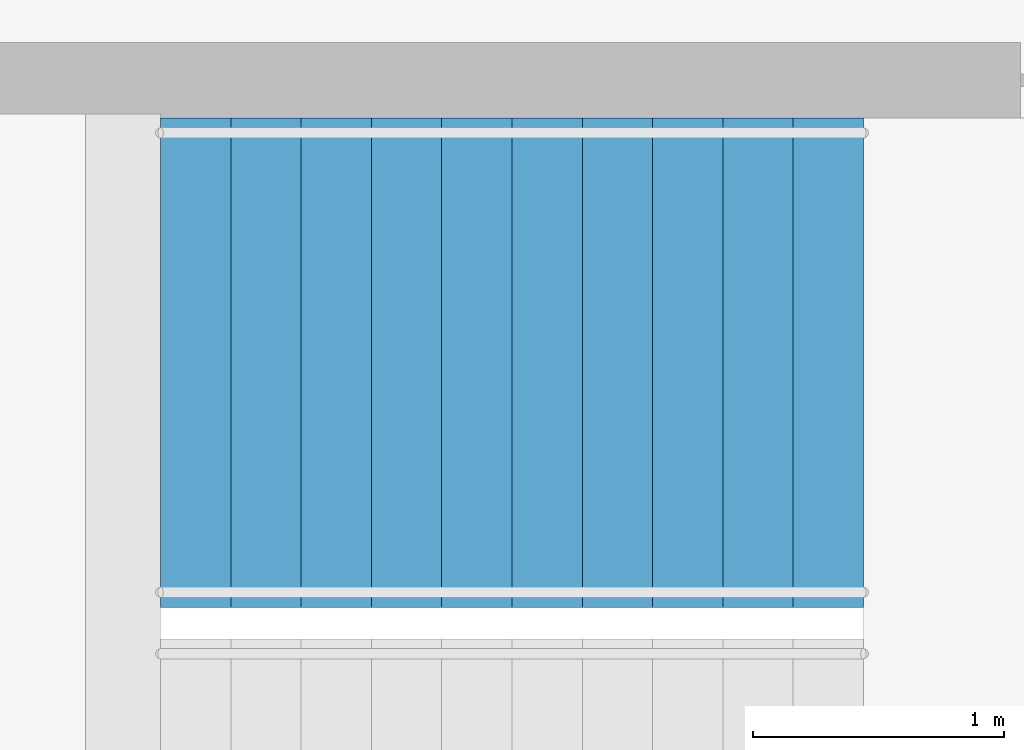
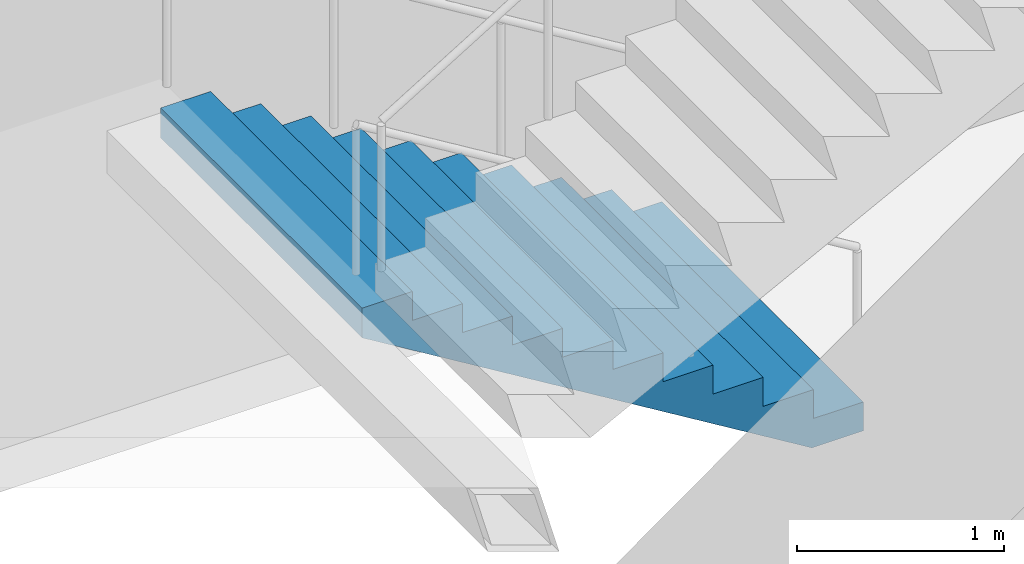
# One storey, part 21 of 22: 1 stair flight, 1 element without a shape of its own.
"""IFC4 building model written with IfcOpenShell, lengths in metres."""

from ifc_helpers import new_model, si_unit, direction, frame, origin, place, context, subcontext, project, spatial, triangles, material, type_object, element, aggregate, save


model = new_model("IFC4")

# Units and contexts
model_context = context("Model", 3, precision=1e-05, world=origin(), true_north=direction((0.0, 1.0)))
body_context = subcontext(model_context, "Body", "Model", "MODEL_VIEW")
ifc_project = project(units=[si_unit("LENGTHUNIT", "METRE"), si_unit("AREAUNIT", "SQUARE_METRE"), si_unit("VOLUMEUNIT", "CUBIC_METRE"), si_unit("PLANEANGLEUNIT", "RADIAN"), si_unit("MASSUNIT", "GRAM", prefix="KILO")], contexts=[model_context])

# Site, building, storey
site_placement = place(None, origin())
site = spatial("IfcSite", under=ifc_project, at=site_placement, CompositionType="ELEMENT")
building_placement = place(site_placement, origin())
building = spatial("IfcBuilding", under=site, at=building_placement, Name="Orbita Commons", CompositionType="ELEMENT")
storey_placement = place(building_placement, frame((0.0, 0.0, 167.35009765625)))
storey = spatial("IfcBuildingStorey", under=building, at=storey_placement, Name="L41", CompositionType="ELEMENT", Elevation=167.35009765625)

# Stair, stair flight
ifc_material_1 = material(Name="Precast concrete C40/50", Category="concrete")
stair_type = type_object("IfcStairType", Name="Exit stair S2 2 flights 11 risers 170", PredefinedType="HALF_TURN_STAIR", material=ifc_material_1)
stair_placement = place(storey_placement, origin())
stair = element("IfcStair", 1, at=stair_placement, inside=storey, type_object=stair_type, Name="Exit stair S2 L41", PredefinedType="HALF_TURN_STAIR")
ifc_material_2 = material(Name="Precast concrete C40/50", Category="concrete")
stair_flight_type = type_object("IfcStairFlightType", Name="Stair flight 11 risers 170 x 280", PredefinedType="STRAIGHT", material=ifc_material_2)
stair_flight_placement = place(storey_placement, frame((63.550048828125, 29.27490234375, 0.0), z_axis=(0.0, 0.0, 1.0), x_axis=(-1.0, 0.0, 0.0)))
stair_flight = element("IfcStairFlight", 2, at=stair_flight_placement, type_object=stair_flight_type, Name="S2 flight 1", NumberOfRisers=11, NumberOfTreads=10, PredefinedType="STRAIGHT", RiserHeight=0.170454545, TreadLength=0.28, context=body_context, shape_type="Tessellation", body=[
    triangles([(0.0, 0.974976, 0.0), (0.0, 0.974976, 0.021307), (0.0, 0.81248, 0.021307), (0.0, 0.81248, 0.0), (0.0, 0.649984, 0.021307), (0.0, 0.649984, 0.0), (0.0, 0.487488, 0.021307), (0.0, 0.487488, 0.0), (0.0, 0.324992, 0.021307), (0.0, 0.324992, 0.0), (0.0, 0.162496, 0.021307), (0.0, 0.162496, 0.0), (0.0, 0.0, 0.021307), (0.0, 0.0, 0.0), (0.0, -0.162496, 0.021307), (0.0, -0.162496, 0.0), (0.0, -0.324992, 0.021307), (0.0, -0.324992, 0.0), (0.0, -0.487488, 0.021307), (0.0, -0.487488, 0.0), (0.0, -0.649984, 0.021307), (0.0, -0.649984, 0.0), (0.0, -0.81248, 0.021307), (0.0, -0.81248, 0.0), (0.0, -0.974976, 0.021307), (0.0, -0.974976, 0.0), (0.0, 0.974976, 0.042614), (0.0, 0.81248, 0.042614), (0.0, 0.649984, 0.042614), (0.0, 0.487488, 0.042614), (0.0, 0.324992, 0.042614), (0.0, 0.162496, 0.042614), (0.0, 0.0, 0.042614), (0.0, -0.162496, 0.042614), (0.0, -0.324992, 0.042614), (0.0, -0.487488, 0.042614), (0.0, -0.649984, 0.042614), (0.0, -0.81248, 0.042614), (0.0, -0.974976, 0.042614), (0.0, 0.974976, 0.06392), (0.0, 0.81248, 0.06392), (0.0, 0.649984, 0.06392), (0.0, 0.487488, 0.06392), (0.0, 0.324992, 0.06392), (0.0, 0.162496, 0.06392), (0.0, 0.0, 0.06392), (0.0, -0.162496, 0.06392), (0.0, -0.324992, 0.06392), (0.0, -0.487488, 0.06392), (0.0, -0.649984, 0.06392), (0.0, -0.81248, 0.06392), (0.0, -0.974976, 0.06392), (0.0, 0.974976, 0.085227), (0.0, 0.81248, 0.085227), (0.0, 0.649984, 0.085227), (0.0, 0.487488, 0.085227), (0.0, 0.324992, 0.085227), (0.0, 0.162496, 0.085227), (0.0, 0.0, 0.085227), (0.0, -0.162496, 0.085227), (0.0, -0.324992, 0.085227), (0.0, -0.487488, 0.085227), (0.0, -0.649984, 0.085227), (0.0, -0.81248, 0.085227), (0.0, -0.974976, 0.085227), (0.0, 0.974976, 0.106534), (0.0, 0.81248, 0.106534), (0.0, 0.649984, 0.106534), (0.0, 0.487488, 0.106534), (0.0, 0.324992, 0.106534), (0.0, 0.162496, 0.106534), (0.0, 0.0, 0.106534), (0.0, -0.162496, 0.106534), (0.0, -0.324992, 0.106534), (0.0, -0.487488, 0.106534), (0.0, -0.649984, 0.106534), (0.0, -0.81248, 0.106534), (0.0, -0.974976, 0.106534), (0.0, 0.974976, 0.127841), (0.0, 0.81248, 0.127841), (0.0, 0.649984, 0.127841), (0.0, 0.487488, 0.127841), (0.0, 0.324992, 0.127841), (0.0, 0.162496, 0.127841), (0.0, 0.0, 0.127841), (0.0, -0.162496, 0.127841), (0.0, -0.324992, 0.127841), (0.0, -0.487488, 0.127841), (0.0, -0.649984, 0.127841), (0.0, -0.81248, 0.127841), (0.0, -0.974976, 0.127841), (0.0, 0.974976, 0.149148), (0.0, 0.81248, 0.149148), (0.0, 0.649984, 0.149148), (0.0, 0.487488, 0.149148), (0.0, 0.324992, 0.149148), (0.0, 0.162496, 0.149148), (0.0, 0.0, 0.149148), (0.0, -0.162496, 0.149148), (0.0, -0.324992, 0.149148), (0.0, -0.487488, 0.149148), (0.0, -0.649984, 0.149148), (0.0, -0.81248, 0.149148), (0.0, -0.974976, 0.149148), (0.0, 0.974976, 0.170455), (0.0, 0.81248, 0.170455), (0.0, 0.649984, 0.170455), (0.0, 0.487488, 0.170455), (0.0, 0.324992, 0.170455), (0.0, 0.162496, 0.170455), (0.0, 0.0, 0.170455), (0.0, -0.162496, 0.170455), (0.0, -0.324992, 0.170455), (0.0, -0.487488, 0.170455), (0.0, -0.649984, 0.170455), (0.0, -0.81248, 0.170455), (0.0, -0.974976, 0.170455), (0.28, 0.974976, 0.170455), (0.28, 0.81248, 0.170455), (0.28, 0.649984, 0.170455), (0.28, 0.487488, 0.170455), (0.28, 0.324992, 0.170455), (0.28, 0.162496, 0.170455), (0.28, 0.0, 0.170455), (0.28, -0.162496, 0.170455), (0.28, -0.324992, 0.170455), (0.28, -0.487488, 0.170455), (0.28, -0.649984, 0.170455), (0.28, -0.81248, 0.170455), (0.28, -0.974976, 0.170455), (0.28, 0.974976, 0.340909), (0.28, 0.81248, 0.340909), (0.28, 0.649984, 0.340909), (0.28, 0.487488, 0.340909), (0.28, 0.324992, 0.340909), (0.28, 0.162496, 0.340909), (0.28, 0.0, 0.340909), (0.28, -0.162496, 0.340909), (0.28, -0.324992, 0.340909), (0.28, -0.487488, 0.340909), (0.28, -0.649984, 0.340909), (0.28, -0.81248, 0.340909), (0.28, -0.974976, 0.340909), (0.56, 0.974976, 0.340909), (0.56, 0.81248, 0.340909), (0.56, 0.649984, 0.340909), (0.56, 0.487488, 0.340909), (0.56, 0.324992, 0.340909), (0.56, 0.162496, 0.340909), (0.56, 0.0, 0.340909), (0.56, -0.162496, 0.340909), (0.56, -0.324992, 0.340909), (0.56, -0.487488, 0.340909), (0.56, -0.649984, 0.340909), (0.56, -0.81248, 0.340909), (0.56, -0.974976, 0.340909), (0.56, 0.974976, 0.511364), (0.56, 0.81248, 0.511364), (0.56, 0.649984, 0.511364), (0.56, 0.487488, 0.511364), (0.56, 0.324992, 0.511364), (0.56, 0.162496, 0.511364), (0.56, 0.0, 0.511364), (0.56, -0.162496, 0.511364), (0.56, -0.324992, 0.511364), (0.56, -0.487488, 0.511364), (0.56, -0.649984, 0.511364), (0.56, -0.81248, 0.511364), (0.56, -0.974976, 0.511364), (0.84, 0.974976, 0.511364), (0.84, 0.81248, 0.511364), (0.84, 0.649984, 0.511364), (0.84, 0.487488, 0.511364), (0.84, 0.324992, 0.511364), (0.84, 0.162496, 0.511364), (0.84, 0.0, 0.511364), (0.84, -0.162496, 0.511364), (0.84, -0.324992, 0.511364), (0.84, -0.487488, 0.511364), (0.84, -0.649984, 0.511364), (0.84, -0.81248, 0.511364), (0.84, -0.974976, 0.511364), (0.84, 0.974976, 0.681818), (0.84, 0.81248, 0.681818), (0.84, 0.649984, 0.681818), (0.84, 0.487488, 0.681818), (0.84, 0.324992, 0.681818), (0.84, 0.162496, 0.681818), (0.84, 0.0, 0.681818), (0.84, -0.162496, 0.681818), (0.84, -0.324992, 0.681818), (0.84, -0.487488, 0.681818), (0.84, -0.649984, 0.681818), (0.84, -0.81248, 0.681818), (0.84, -0.974976, 0.681818), (1.12, 0.974976, 0.681818), (1.12, 0.81248, 0.681818), (1.12, 0.649984, 0.681818), (1.12, 0.487488, 0.681818), (1.12, 0.324992, 0.681818), (1.12, 0.162496, 0.681818), (1.12, 0.0, 0.681818), (1.12, -0.162496, 0.681818), (1.12, -0.324992, 0.681818), (1.12, -0.487488, 0.681818), (1.12, -0.649984, 0.681818), (1.12, -0.81248, 0.681818), (1.12, -0.974976, 0.681818), (1.12, 0.974976, 0.852273), (1.12, 0.81248, 0.852273), (1.12, 0.649984, 0.852273), (1.12, 0.487488, 0.852273), (1.12, 0.324992, 0.852273), (1.12, 0.162496, 0.852273), (1.12, 0.0, 0.852273), (1.12, -0.162496, 0.852273), (1.12, -0.324992, 0.852273), (1.12, -0.487488, 0.852273), (1.12, -0.649984, 0.852273), (1.12, -0.81248, 0.852273), (1.12, -0.974976, 0.852273), (1.4, 0.974976, 0.852273), (1.4, 0.81248, 0.852273), (1.4, 0.649984, 0.852273), (1.4, 0.487488, 0.852273), (1.4, 0.324992, 0.852273), (1.4, 0.162496, 0.852273), (1.4, 0.0, 0.852273), (1.4, -0.162496, 0.852273), (1.4, -0.324992, 0.852273), (1.4, -0.487488, 0.852273), (1.4, -0.649984, 0.852273), (1.4, -0.81248, 0.852273), (1.4, -0.974976, 0.852273), (1.4, 0.974976, 1.022727), (1.4, 0.81248, 1.022727), (1.4, 0.649984, 1.022727), (1.4, 0.487488, 1.022727), (1.4, 0.324992, 1.022727), (1.4, 0.162496, 1.022727), (1.4, 0.0, 1.022727), (1.4, -0.162496, 1.022727), (1.4, -0.324992, 1.022727), (1.4, -0.487488, 1.022727), (1.4, -0.649984, 1.022727), (1.4, -0.81248, 1.022727), (1.4, -0.974976, 1.022727), (1.68, 0.974976, 1.022727), (1.68, 0.81248, 1.022727), (1.68, 0.649984, 1.022727), (1.68, 0.487488, 1.022727), (1.68, 0.324992, 1.022727), (1.68, 0.162496, 1.022727), (1.68, 0.0, 1.022727), (1.68, -0.162496, 1.022727), (1.68, -0.324992, 1.022727), (1.68, -0.487488, 1.022727), (1.68, -0.649984, 1.022727), (1.68, -0.81248, 1.022727), (1.68, -0.974976, 1.022727), (1.68, 0.974976, 1.193182), (1.68, 0.81248, 1.193182), (1.68, 0.649984, 1.193182), (1.68, 0.487488, 1.193182), (1.68, 0.324992, 1.193182), (1.68, 0.162496, 1.193182), (1.68, 0.0, 1.193182), (1.68, -0.162496, 1.193182), (1.68, -0.324992, 1.193182), (1.68, -0.487488, 1.193182), (1.68, -0.649984, 1.193182), (1.68, -0.81248, 1.193182), (1.68, -0.974976, 1.193182), (1.96, 0.974976, 1.193182), (1.96, 0.81248, 1.193182), (1.96, 0.649984, 1.193182), (1.96, 0.487488, 1.193182), (1.96, 0.324992, 1.193182), (1.96, 0.162496, 1.193182), (1.96, 0.0, 1.193182), (1.96, -0.162496, 1.193182), (1.96, -0.324992, 1.193182), (1.96, -0.487488, 1.193182), (1.96, -0.649984, 1.193182), (1.96, -0.81248, 1.193182), (1.96, -0.974976, 1.193182), (1.96, 0.974976, 1.363636), (1.96, 0.81248, 1.363636), (1.96, 0.649984, 1.363636), (1.96, 0.487488, 1.363636), (1.96, 0.324992, 1.363636), (1.96, 0.162496, 1.363636), (1.96, 0.0, 1.363636), (1.96, -0.162496, 1.363636), (1.96, -0.324992, 1.363636), (1.96, -0.487488, 1.363636), (1.96, -0.649984, 1.363636), (1.96, -0.81248, 1.363636), (1.96, -0.974976, 1.363636), (2.24, 0.974976, 1.363636), (2.24, 0.81248, 1.363636), (2.24, 0.649984, 1.363636), (2.24, 0.487488, 1.363636), (2.24, 0.324992, 1.363636), (2.24, 0.162496, 1.363636), (2.24, 0.0, 1.363636), (2.24, -0.162496, 1.363636), (2.24, -0.324992, 1.363636), (2.24, -0.487488, 1.363636), (2.24, -0.649984, 1.363636), (2.24, -0.81248, 1.363636), (2.24, -0.974976, 1.363636), (2.24, 0.974976, 1.534091), (2.24, 0.81248, 1.534091), (2.24, 0.649984, 1.534091), (2.24, 0.487488, 1.534091), (2.24, 0.324992, 1.534091), (2.24, 0.162496, 1.534091), (2.24, 0.0, 1.534091), (2.24, -0.162496, 1.534091), (2.24, -0.324992, 1.534091), (2.24, -0.487488, 1.534091), (2.24, -0.649984, 1.534091), (2.24, -0.81248, 1.534091), (2.24, -0.974976, 1.534091), (2.52, 0.974976, 1.534091), (2.52, 0.81248, 1.534091), (2.52, 0.649984, 1.534091), (2.52, 0.487488, 1.534091), (2.52, 0.324992, 1.534091), (2.52, 0.162496, 1.534091), (2.52, 0.0, 1.534091), (2.52, -0.162496, 1.534091), (2.52, -0.324992, 1.534091), (2.52, -0.487488, 1.534091), (2.52, -0.649984, 1.534091), (2.52, -0.81248, 1.534091), (2.52, -0.974976, 1.534091), (2.52, 0.974976, 1.704545), (2.52, 0.81248, 1.704545), (2.52, 0.649984, 1.704545), (2.52, 0.487488, 1.704545), (2.52, 0.324992, 1.704545), (2.52, 0.162496, 1.704545), (2.52, 0.0, 1.704545), (2.52, -0.162496, 1.704545), (2.52, -0.324992, 1.704545), (2.52, -0.487488, 1.704545), (2.52, -0.649984, 1.704545), (2.52, -0.81248, 1.704545), (2.52, -0.974976, 1.704545), (2.8, 0.974976, 1.704545), (2.8, 0.81248, 1.704545), (2.8, 0.649984, 1.704545), (2.8, 0.487488, 1.704545), (2.8, 0.324992, 1.704545), (2.8, 0.162496, 1.704545), (2.8, 0.0, 1.704545), (2.8, -0.162496, 1.704545), (2.8, -0.324992, 1.704545), (2.8, -0.487488, 1.704545), (2.8, -0.649984, 1.704545), (2.8, -0.81248, 1.704545), (2.8, -0.974976, 1.704545), (2.8, 0.974976, 1.682609), (2.8, 0.81248, 1.682609), (2.8, 0.649984, 1.682609), (2.8, 0.487488, 1.682609), (2.8, 0.324992, 1.682609), (2.8, 0.162496, 1.682609), (2.8, 0.0, 1.682609), (2.8, -0.162496, 1.682609), (2.8, -0.324992, 1.682609), (2.8, -0.487488, 1.682609), (2.8, -0.649984, 1.682609), (2.8, -0.81248, 1.682609), (2.8, -0.974976, 1.682609), (2.8, 0.974976, 1.660672), (2.8, 0.81248, 1.660672), (2.8, 0.649984, 1.660672), (2.8, 0.487488, 1.660672), (2.8, 0.324992, 1.660672), (2.8, 0.162496, 1.660672), (2.8, 0.0, 1.660672), (2.8, -0.162496, 1.660672), (2.8, -0.324992, 1.660672), (2.8, -0.487488, 1.660672), (2.8, -0.649984, 1.660672), (2.8, -0.81248, 1.660672), (2.8, -0.974976, 1.660672), (2.8, 0.974976, 1.638735), (2.8, 0.81248, 1.638735), (2.8, 0.649984, 1.638735), (2.8, 0.487488, 1.638735), (2.8, 0.324992, 1.638735), (2.8, 0.162496, 1.638735), (2.8, 0.0, 1.638735), (2.8, -0.162496, 1.638735), (2.8, -0.324992, 1.638735), (2.8, -0.487488, 1.638735), (2.8, -0.649984, 1.638735), (2.8, -0.81248, 1.638735), (2.8, -0.974976, 1.638735), (2.8, 0.974976, 1.616798), (2.8, 0.81248, 1.616798), (2.8, 0.649984, 1.616798), (2.8, 0.487488, 1.616798), (2.8, 0.324992, 1.616798), (2.8, 0.162496, 1.616798), (2.8, 0.0, 1.616798), (2.8, -0.162496, 1.616798), (2.8, -0.324992, 1.616798), (2.8, -0.487488, 1.616798), (2.8, -0.649984, 1.616798), (2.8, -0.81248, 1.616798), (2.8, -0.974976, 1.616798), (2.8, 0.974976, 1.594861), (2.8, 0.81248, 1.594861), (2.8, 0.649984, 1.594861), (2.8, 0.487488, 1.594861), (2.8, 0.324992, 1.594861), (2.8, 0.162496, 1.594861), (2.8, 0.0, 1.594861), (2.8, -0.162496, 1.594861), (2.8, -0.324992, 1.594861), (2.8, -0.487488, 1.594861), (2.8, -0.649984, 1.594861), (2.8, -0.81248, 1.594861), (2.8, -0.974976, 1.594861), (2.8, 0.974976, 1.572925), (2.8, 0.81248, 1.572925), (2.8, 0.649984, 1.572925), (2.8, 0.487488, 1.572925), (2.8, 0.324992, 1.572925), (2.8, 0.162496, 1.572925), (2.8, 0.0, 1.572925), (2.8, -0.162496, 1.572925), (2.8, -0.324992, 1.572925), (2.8, -0.487488, 1.572925), (2.8, -0.649984, 1.572925), (2.8, -0.81248, 1.572925), (2.8, -0.974976, 1.572925), (2.8, 0.974976, 1.550988), (2.8, 0.81248, 1.550988), (2.8, 0.649984, 1.550988), (2.8, 0.487488, 1.550988), (2.8, 0.324992, 1.550988), (2.8, 0.162496, 1.550988), (2.8, 0.0, 1.550988), (2.8, -0.162496, 1.550988), (2.8, -0.324992, 1.550988), (2.8, -0.487488, 1.550988), (2.8, -0.649984, 1.550988), (2.8, -0.81248, 1.550988), (2.8, -0.974976, 1.550988), (2.8, 0.974976, 1.529051), (2.8, 0.81248, 1.529051), (2.8, 0.649984, 1.529051), (2.8, 0.487488, 1.529051), (2.8, 0.324992, 1.529051), (2.8, 0.162496, 1.529051), (2.8, 0.0, 1.529051), (2.8, -0.162496, 1.529051), (2.8, -0.324992, 1.529051), (2.8, -0.487488, 1.529051), (2.8, -0.649984, 1.529051), (2.8, -0.81248, 1.529051), (2.8, -0.974976, 1.529051), (0.288279, 0.974976, 0.0), (0.288279, 0.81248, 0.0), (0.288279, 0.649984, 0.0), (0.288279, 0.487488, 0.0), (0.288279, 0.324992, 0.0), (0.288279, 0.162496, 0.0), (0.288279, 0.0, 0.0), (0.288279, -0.162496, 0.0), (0.288279, -0.324992, 0.0), (0.288279, -0.487488, 0.0), (0.288279, -0.649984, 0.0), (0.288279, -0.81248, 0.0), (0.288279, -0.974976, 0.0)], [[3, 2, 1], [4, 3, 1], [5, 3, 4], [6, 5, 4], [7, 5, 6], [8, 7, 6], [9, 7, 8], [10, 9, 8], [11, 9, 10], [12, 11, 10], [13, 11, 12], [14, 13, 12], [15, 13, 14], [16, 15, 14], [17, 15, 16], [18, 17, 16], [19, 17, 18], [20, 19, 18], [21, 19, 20], [22, 21, 20], [23, 21, 22], [24, 23, 22], [25, 23, 24], [26, 25, 24], [28, 27, 2], [3, 28, 2], [29, 28, 3], [5, 29, 3], [30, 29, 5], [7, 30, 5], [31, 30, 7], [9, 31, 7], [32, 31, 9], [11, 32, 9], [33, 32, 11], [13, 33, 11], [34, 33, 13], [15, 34, 13], [35, 34, 15], [17, 35, 15], [36, 35, 17], [19, 36, 17], [37, 36, 19], [21, 37, 19], [38, 37, 21], [23, 38, 21], [39, 38, 23], [25, 39, 23], [41, 40, 27], [28, 41, 27], [42, 41, 28], [29, 42, 28], [43, 42, 29], [30, 43, 29], [44, 43, 30], [31, 44, 30], [45, 44, 31], [32, 45, 31], [46, 45, 32], [33, 46, 32], [47, 46, 33], [34, 47, 33], [48, 47, 34], [35, 48, 34], [49, 48, 35], [36, 49, 35], [50, 49, 36], [37, 50, 36], [51, 50, 37], [38, 51, 37], [52, 51, 38], [39, 52, 38], [54, 53, 40], [41, 54, 40], [55, 54, 41], [42, 55, 41], [56, 55, 42], [43, 56, 42], [57, 56, 43], [44, 57, 43], [58, 57, 44], [45, 58, 44], [59, 58, 45], [46, 59, 45], [60, 59, 46], [47, 60, 46], [61, 60, 47], [48, 61, 47], [62, 61, 48], [49, 62, 48], [63, 62, 49], [50, 63, 49], [64, 63, 50], [51, 64, 50], [65, 64, 51], [52, 65, 51], [67, 66, 53], [54, 67, 53], [68, 67, 54], [55, 68, 54], [69, 68, 55], [56, 69, 55], [70, 69, 56], [57, 70, 56], [71, 70, 57], [58, 71, 57], [72, 71, 58], [59, 72, 58], [73, 72, 59], [60, 73, 59], [74, 73, 60], [61, 74, 60], [75, 74, 61], [62, 75, 61], [76, 75, 62], [63, 76, 62], [77, 76, 63], [64, 77, 63], [78, 77, 64], [65, 78, 64], [80, 79, 66], [67, 80, 66], [81, 80, 67], [68, 81, 67], [82, 81, 68], [69, 82, 68], [83, 82, 69], [70, 83, 69], [84, 83, 70], [71, 84, 70], [85, 84, 71], [72, 85, 71], [86, 85, 72], [73, 86, 72], [87, 86, 73], [74, 87, 73], [88, 87, 74], [75, 88, 74], [89, 88, 75], [76, 89, 75], [90, 89, 76], [77, 90, 76], [91, 90, 77], [78, 91, 77], [93, 92, 79], [80, 93, 79], [94, 93, 80], [81, 94, 80], [95, 94, 81], [82, 95, 81], [96, 95, 82], [83, 96, 82], [97, 96, 83], [84, 97, 83], [98, 97, 84], [85, 98, 84], [99, 98, 85], [86, 99, 85], [100, 99, 86], [87, 100, 86], [101, 100, 87], [88, 101, 87], [102, 101, 88], [89, 102, 88], [103, 102, 89], [90, 103, 89], [104, 103, 90], [91, 104, 90], [106, 105, 92], [93, 106, 92], [107, 106, 93], [94, 107, 93], [108, 107, 94], [95, 108, 94], [109, 108, 95], [96, 109, 95], [110, 109, 96], [97, 110, 96], [111, 110, 97], [98, 111, 97], [112, 111, 98], [99, 112, 98], [113, 112, 99], [100, 113, 99], [114, 113, 100], [101, 114, 100], [115, 114, 101], [102, 115, 101], [116, 115, 102], [103, 116, 102], [117, 116, 103], [104, 117, 103], [119, 118, 105], [106, 119, 105], [120, 119, 106], [107, 120, 106], [121, 120, 107], [108, 121, 107], [122, 121, 108], [109, 122, 108], [123, 122, 109], [110, 123, 109], [124, 123, 110], [111, 124, 110], [125, 124, 111], [112, 125, 111], [126, 125, 112], [113, 126, 112], [127, 126, 113], [114, 127, 113], [128, 127, 114], [115, 128, 114], [129, 128, 115], [116, 129, 115], [130, 129, 116], [117, 130, 116], [132, 131, 118], [119, 132, 118], [133, 132, 119], [120, 133, 119], [134, 133, 120], [121, 134, 120], [135, 134, 121], [122, 135, 121], [136, 135, 122], [123, 136, 122], [137, 136, 123], [124, 137, 123], [138, 137, 124], [125, 138, 124], [139, 138, 125], [126, 139, 125], [140, 139, 126], [127, 140, 126], [141, 140, 127], [128, 141, 127], [142, 141, 128], [129, 142, 128], [143, 142, 129], [130, 143, 129], [145, 144, 131], [132, 145, 131], [146, 145, 132], [133, 146, 132], [147, 146, 133], [134, 147, 133], [148, 147, 134], [135, 148, 134], [149, 148, 135], [136, 149, 135], [150, 149, 136], [137, 150, 136], [151, 150, 137], [138, 151, 137], [152, 151, 138], [139, 152, 138], [153, 152, 139], [140, 153, 139], [154, 153, 140], [141, 154, 140], [155, 154, 141], [142, 155, 141], [156, 155, 142], [143, 156, 142], [158, 157, 144], [145, 158, 144], [159, 158, 145], [146, 159, 145], [160, 159, 146], [147, 160, 146], [161, 160, 147], [148, 161, 147], [162, 161, 148], [149, 162, 148], [163, 162, 149], [150, 163, 149], [164, 163, 150], [151, 164, 150], [165, 164, 151], [152, 165, 151], [166, 165, 152], [153, 166, 152], [167, 166, 153], [154, 167, 153], [168, 167, 154], [155, 168, 154], [169, 168, 155], [156, 169, 155], [171, 170, 157], [158, 171, 157], [172, 171, 158], [159, 172, 158], [173, 172, 159], [160, 173, 159], [174, 173, 160], [161, 174, 160], [175, 174, 161], [162, 175, 161], [176, 175, 162], [163, 176, 162], [177, 176, 163], [164, 177, 163], [178, 177, 164], [165, 178, 164], [179, 178, 165], [166, 179, 165], [180, 179, 166], [167, 180, 166], [181, 180, 167], [168, 181, 167], [182, 181, 168], [169, 182, 168], [184, 183, 170], [171, 184, 170], [185, 184, 171], [172, 185, 171], [186, 185, 172], [173, 186, 172], [187, 186, 173], [174, 187, 173], [188, 187, 174], [175, 188, 174], [189, 188, 175], [176, 189, 175], [190, 189, 176], [177, 190, 176], [191, 190, 177], [178, 191, 177], [192, 191, 178], [179, 192, 178], [193, 192, 179], [180, 193, 179], [194, 193, 180], [181, 194, 180], [195, 194, 181], [182, 195, 181], [197, 196, 183], [184, 197, 183], [198, 197, 184], [185, 198, 184], [199, 198, 185], [186, 199, 185], [200, 199, 186], [187, 200, 186], [201, 200, 187], [188, 201, 187], [202, 201, 188], [189, 202, 188], [203, 202, 189], [190, 203, 189], [204, 203, 190], [191, 204, 190], [205, 204, 191], [192, 205, 191], [206, 205, 192], [193, 206, 192], [207, 206, 193], [194, 207, 193], [208, 207, 194], [195, 208, 194], [210, 209, 196], [197, 210, 196], [211, 210, 197], [198, 211, 197], [212, 211, 198], [199, 212, 198], [213, 212, 199], [200, 213, 199], [214, 213, 200], [201, 214, 200], [215, 214, 201], [202, 215, 201], [216, 215, 202], [203, 216, 202], [217, 216, 203], [204, 217, 203], [218, 217, 204], [205, 218, 204], [219, 218, 205], [206, 219, 205], [220, 219, 206], [207, 220, 206], [221, 220, 207], [208, 221, 207], [223, 222, 209], [210, 223, 209], [224, 223, 210], [211, 224, 210], [225, 224, 211], [212, 225, 211], [226, 225, 212], [213, 226, 212], [227, 226, 213], [214, 227, 213], [228, 227, 214], [215, 228, 214], [229, 228, 215], [216, 229, 215], [230, 229, 216], [217, 230, 216], [231, 230, 217], [218, 231, 217], [232, 231, 218], [219, 232, 218], [233, 232, 219], [220, 233, 219], [234, 233, 220], [221, 234, 220], [236, 235, 222], [223, 236, 222], [237, 236, 223], [224, 237, 223], [238, 237, 224], [225, 238, 224], [239, 238, 225], [226, 239, 225], [240, 239, 226], [227, 240, 226], [241, 240, 227], [228, 241, 227], [242, 241, 228], [229, 242, 228], [243, 242, 229], [230, 243, 229], [244, 243, 230], [231, 244, 230], [245, 244, 231], [232, 245, 231], [246, 245, 232], [233, 246, 232], [247, 246, 233], [234, 247, 233], [249, 248, 235], [236, 249, 235], [250, 249, 236], [237, 250, 236], [251, 250, 237], [238, 251, 237], [252, 251, 238], [239, 252, 238], [253, 252, 239], [240, 253, 239], [254, 253, 240], [241, 254, 240], [255, 254, 241], [242, 255, 241], [256, 255, 242], [243, 256, 242], [257, 256, 243], [244, 257, 243], [258, 257, 244], [245, 258, 244], [259, 258, 245], [246, 259, 245], [260, 259, 246], [247, 260, 246], [262, 261, 248], [249, 262, 248], [263, 262, 249], [250, 263, 249], [264, 263, 250], [251, 264, 250], [265, 264, 251], [252, 265, 251], [266, 265, 252], [253, 266, 252], [267, 266, 253], [254, 267, 253], [268, 267, 254], [255, 268, 254], [269, 268, 255], [256, 269, 255], [270, 269, 256], [257, 270, 256], [271, 270, 257], [258, 271, 257], [272, 271, 258], [259, 272, 258], [273, 272, 259], [260, 273, 259], [275, 274, 261], [262, 275, 261], [276, 275, 262], [263, 276, 262], [277, 276, 263], [264, 277, 263], [278, 277, 264], [265, 278, 264], [279, 278, 265], [266, 279, 265], [280, 279, 266], [267, 280, 266], [281, 280, 267], [268, 281, 267], [282, 281, 268], [269, 282, 268], [283, 282, 269], [270, 283, 269], [284, 283, 270], [271, 284, 270], [285, 284, 271], [272, 285, 271], [286, 285, 272], [273, 286, 272], [288, 287, 274], [275, 288, 274], [289, 288, 275], [276, 289, 275], [290, 289, 276], [277, 290, 276], [291, 290, 277], [278, 291, 277], [292, 291, 278], [279, 292, 278], [293, 292, 279], [280, 293, 279], [294, 293, 280], [281, 294, 280], [295, 294, 281], [282, 295, 281], [296, 295, 282], [283, 296, 282], [297, 296, 283], [284, 297, 283], [298, 297, 284], [285, 298, 284], [299, 298, 285], [286, 299, 285], [301, 300, 287], [288, 301, 287], [302, 301, 288], [289, 302, 288], [303, 302, 289], [290, 303, 289], [304, 303, 290], [291, 304, 290], [305, 304, 291], [292, 305, 291], [306, 305, 292], [293, 306, 292], [307, 306, 293], [294, 307, 293], [308, 307, 294], [295, 308, 294], [309, 308, 295], [296, 309, 295], [310, 309, 296], [297, 310, 296], [311, 310, 297], [298, 311, 297], [312, 311, 298], [299, 312, 298], [314, 313, 300], [301, 314, 300], [315, 314, 301], [302, 315, 301], [316, 315, 302], [303, 316, 302], [317, 316, 303], [304, 317, 303], [318, 317, 304], [305, 318, 304], [319, 318, 305], [306, 319, 305], [320, 319, 306], [307, 320, 306], [321, 320, 307], [308, 321, 307], [322, 321, 308], [309, 322, 308], [323, 322, 309], [310, 323, 309], [324, 323, 310], [311, 324, 310], [325, 324, 311], [312, 325, 311], [327, 326, 313], [314, 327, 313], [328, 327, 314], [315, 328, 314], [329, 328, 315], [316, 329, 315], [330, 329, 316], [317, 330, 316], [331, 330, 317], [318, 331, 317], [332, 331, 318], [319, 332, 318], [333, 332, 319], [320, 333, 319], [334, 333, 320], [321, 334, 320], [335, 334, 321], [322, 335, 321], [336, 335, 322], [323, 336, 322], [337, 336, 323], [324, 337, 323], [338, 337, 324], [325, 338, 324], [340, 339, 326], [327, 340, 326], [341, 340, 327], [328, 341, 327], [342, 341, 328], [329, 342, 328], [343, 342, 329], [330, 343, 329], [344, 343, 330], [331, 344, 330], [345, 344, 331], [332, 345, 331], [346, 345, 332], [333, 346, 332], [347, 346, 333], [334, 347, 333], [348, 347, 334], [335, 348, 334], [349, 348, 335], [336, 349, 335], [350, 349, 336], [337, 350, 336], [351, 350, 337], [338, 351, 337], [353, 352, 339], [340, 353, 339], [354, 353, 340], [341, 354, 340], [355, 354, 341], [342, 355, 341], [356, 355, 342], [343, 356, 342], [357, 356, 343], [344, 357, 343], [358, 357, 344], [345, 358, 344], [359, 358, 345], [346, 359, 345], [360, 359, 346], [347, 360, 346], [361, 360, 347], [348, 361, 347], [362, 361, 348], [349, 362, 348], [363, 362, 349], [350, 363, 349], [364, 363, 350], [351, 364, 350], [366, 365, 352], [353, 366, 352], [367, 366, 353], [354, 367, 353], [368, 367, 354], [355, 368, 354], [369, 368, 355], [356, 369, 355], [370, 369, 356], [357, 370, 356], [371, 370, 357], [358, 371, 357], [372, 371, 358], [359, 372, 358], [373, 372, 359], [360, 373, 359], [374, 373, 360], [361, 374, 360], [375, 374, 361], [362, 375, 361], [376, 375, 362], [363, 376, 362], [377, 376, 363], [364, 377, 363], [379, 378, 365], [366, 379, 365], [380, 379, 366], [367, 380, 366], [381, 380, 367], [368, 381, 367], [382, 381, 368], [369, 382, 368], [383, 382, 369], [370, 383, 369], [384, 383, 370], [371, 384, 370], [385, 384, 371], [372, 385, 371], [386, 385, 372], [373, 386, 372], [387, 386, 373], [374, 387, 373], [388, 387, 374], [375, 388, 374], [389, 388, 375], [376, 389, 375], [390, 389, 376], [377, 390, 376], [392, 391, 378], [379, 392, 378], [393, 392, 379], [380, 393, 379], [394, 393, 380], [381, 394, 380], [395, 394, 381], [382, 395, 381], [396, 395, 382], [383, 396, 382], [397, 396, 383], [384, 397, 383], [398, 397, 384], [385, 398, 384], [399, 398, 385], [386, 399, 385], [400, 399, 386], [387, 400, 386], [401, 400, 387], [388, 401, 387], [402, 401, 388], [389, 402, 388], [403, 402, 389], [390, 403, 389], [405, 404, 391], [392, 405, 391], [406, 405, 392], [393, 406, 392], [407, 406, 393], [394, 407, 393], [408, 407, 394], [395, 408, 394], [409, 408, 395], [396, 409, 395], [410, 409, 396], [397, 410, 396], [411, 410, 397], [398, 411, 397], [412, 411, 398], [399, 412, 398], [413, 412, 399], [400, 413, 399], [414, 413, 400], [401, 414, 400], [415, 414, 401], [402, 415, 401], [416, 415, 402], [403, 416, 402], [418, 417, 404], [405, 418, 404], [419, 418, 405], [406, 419, 405], [420, 419, 406], [407, 420, 406], [421, 420, 407], [408, 421, 407], [422, 421, 408], [409, 422, 408], [423, 422, 409], [410, 423, 409], [424, 423, 410], [411, 424, 410], [425, 424, 411], [412, 425, 411], [426, 425, 412], [413, 426, 412], [427, 426, 413], [414, 427, 413], [428, 427, 414], [415, 428, 414], [429, 428, 415], [416, 429, 415], [431, 430, 417], [418, 431, 417], [432, 431, 418], [419, 432, 418], [433, 432, 419], [420, 433, 419], [434, 433, 420], [421, 434, 420], [435, 434, 421], [422, 435, 421], [436, 435, 422], [423, 436, 422], [437, 436, 423], [424, 437, 423], [438, 437, 424], [425, 438, 424], [439, 438, 425], [426, 439, 425], [440, 439, 426], [427, 440, 426], [441, 440, 427], [428, 441, 427], [442, 441, 428], [429, 442, 428], [444, 443, 430], [431, 444, 430], [445, 444, 431], [432, 445, 431], [446, 445, 432], [433, 446, 432], [447, 446, 433], [434, 447, 433], [448, 447, 434], [435, 448, 434], [449, 448, 435], [436, 449, 435], [450, 449, 436], [437, 450, 436], [451, 450, 437], [438, 451, 437], [452, 451, 438], [439, 452, 438], [453, 452, 439], [440, 453, 439], [454, 453, 440], [441, 454, 440], [455, 454, 441], [442, 455, 441], [457, 456, 443], [444, 457, 443], [458, 457, 444], [445, 458, 444], [459, 458, 445], [446, 459, 445], [460, 459, 446], [447, 460, 446], [461, 460, 447], [448, 461, 447], [462, 461, 448], [449, 462, 448], [463, 462, 449], [450, 463, 449], [464, 463, 450], [451, 464, 450], [465, 464, 451], [452, 465, 451], [466, 465, 452], [453, 466, 452], [467, 466, 453], [454, 467, 453], [468, 467, 454], [455, 468, 454], [470, 469, 456], [457, 470, 456], [471, 470, 457], [458, 471, 457], [472, 471, 458], [459, 472, 458], [473, 472, 459], [460, 473, 459], [474, 473, 460], [461, 474, 460], [475, 474, 461], [462, 475, 461], [476, 475, 462], [463, 476, 462], [477, 476, 463], [464, 477, 463], [478, 477, 464], [465, 478, 464], [479, 478, 465], [466, 479, 465], [480, 479, 466], [467, 480, 466], [481, 480, 467], [468, 481, 467], [4, 1, 469], [470, 4, 469], [6, 4, 470], [471, 6, 470], [8, 6, 471], [472, 8, 471], [10, 8, 472], [473, 10, 472], [12, 10, 473], [474, 12, 473], [14, 12, 474], [475, 14, 474], [16, 14, 475], [476, 16, 475], [18, 16, 476], [477, 18, 476], [20, 18, 477], [478, 20, 477], [22, 20, 478], [479, 22, 478], [24, 22, 479], [480, 24, 479], [26, 24, 480], [481, 26, 480], [456, 469, 1], [26, 481, 468], [443, 456, 1], [26, 468, 455], [430, 443, 1], [26, 455, 442], [417, 430, 1], [26, 442, 429], [404, 417, 1], [26, 429, 416], [391, 404, 1], [26, 416, 403], [378, 391, 1], [26, 403, 390], [365, 378, 1], [26, 390, 377], [339, 352, 365], [377, 364, 351], [326, 339, 365], [377, 351, 338], [300, 313, 326], [338, 325, 312], [300, 326, 365], [377, 338, 312], [274, 287, 300], [312, 299, 286], [274, 300, 365], [377, 312, 286], [248, 261, 274], [286, 273, 260], [248, 274, 365], [377, 286, 260], [222, 235, 248], [260, 247, 234], [222, 248, 365], [377, 260, 234], [196, 209, 222], [234, 221, 208], [196, 222, 365], [377, 234, 208], [170, 183, 196], [208, 195, 182], [170, 196, 365], [377, 208, 182], [144, 157, 170], [182, 169, 156], [144, 170, 365], [377, 182, 156], [118, 131, 144], [156, 143, 130], [118, 144, 365], [377, 156, 130], [118, 365, 1], [26, 377, 130], [92, 105, 118], [130, 117, 104], [79, 92, 118], [130, 104, 91], [66, 79, 118], [130, 91, 78], [53, 66, 118], [130, 78, 65], [40, 53, 118], [130, 65, 52], [27, 40, 118], [130, 52, 39], [2, 27, 118], [130, 39, 25], [1, 2, 118], [130, 25, 26]], closed=True),
])
aggregate(stair, [stair_flight])

save(model, "model.ifc")
